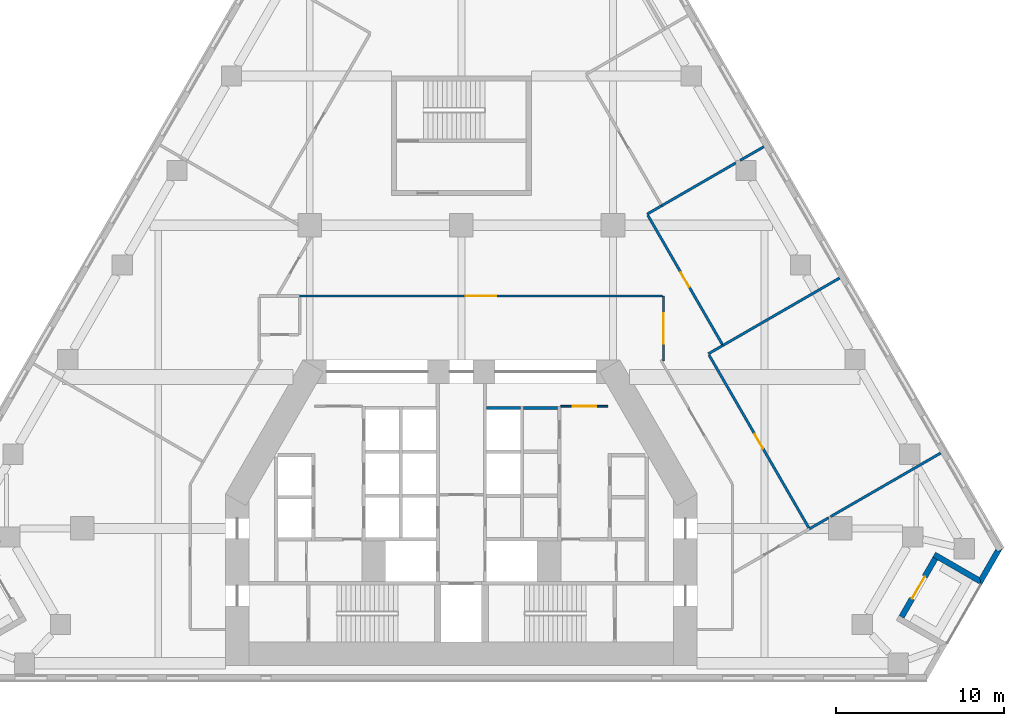
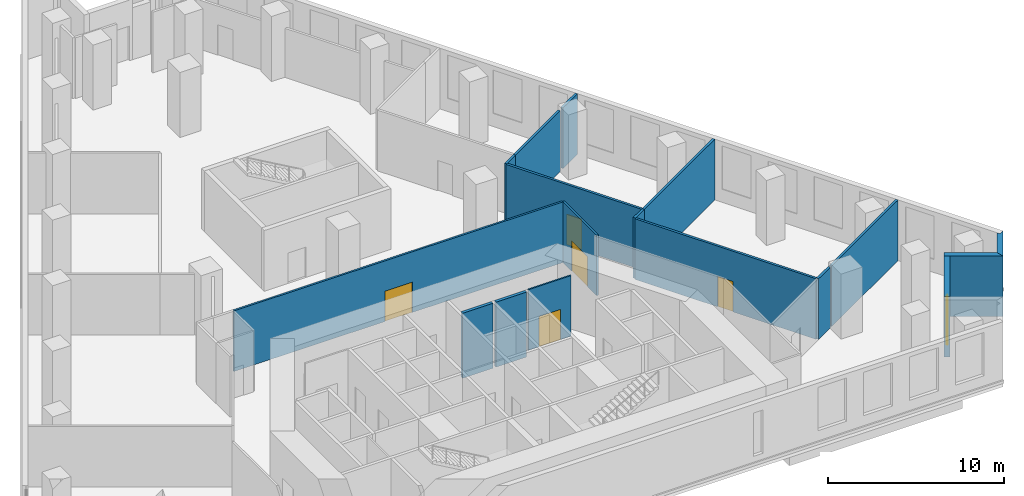
# One storey, part 7 of 10: 17 walls, 6 doors, 6 openings.
"""IFC4 building model written with IfcOpenShell, lengths in metres."""

from ifc_helpers import new_model, si_unit, direction, frame, frame_2d, origin, place, context, subcontext, project, spatial, polyline, rectangle, outline, extrude, material, layer, layer_set, type_object, element, fill, save


model = new_model("IFC4")

# Units and contexts
model_context = context("Model", 3, precision=1e-05, world=origin(), true_north=direction((0.0, 1.0)))
body_context = subcontext(model_context, "Body", "Model", "MODEL_VIEW")
ifc_project = project(units=[si_unit("LENGTHUNIT", "METRE"), si_unit("AREAUNIT", "SQUARE_METRE"), si_unit("VOLUMEUNIT", "CUBIC_METRE"), si_unit("PLANEANGLEUNIT", "RADIAN"), si_unit("MASSUNIT", "GRAM", prefix="KILO")], contexts=[model_context])

# Site, building, storey
site_placement = place(None, origin())
site = spatial("IfcSite", under=ifc_project, at=site_placement, CompositionType="ELEMENT")
building_placement = place(site_placement, origin())
building = spatial("IfcBuilding", under=site, at=building_placement, Name="Fogline Exchange Tower", CompositionType="ELEMENT")
storey_placement = place(building_placement, frame((0.0, 0.0, 43.0)))
storey = spatial("IfcBuildingStorey", under=building, at=storey_placement, Name="L08", CompositionType="ELEMENT", Elevation=43.0)

# Wall, opening, door
ifc_material_1 = material(Name="Blockwork partition", Category="masonry")
ifc_layer_1 = layer(ifc_material_1, 0.10009765625)
ifc_layer_set_1 = layer_set([ifc_layer_1], Name="CW10")
wall_type_1 = type_object("IfcWallType", Name="CW10", PredefinedType="PARTITIONING", material=ifc_layer_set_1)
wall_1_placement = place(storey_placement, frame((5.89990234375, 16.25, 0.0), z_axis=(0.0, 0.0, 1.0), x_axis=(1.0, 0.0, 0.0)))
wall_1 = element("IfcWall", 1, at=wall_1_placement, inside=storey, type_object=wall_type_1, Name="Lift lobby partition", PredefinedType="PARTITIONING", context=body_context, shape_type="SweptSolid", body=[
    extrude(rectangle(XDim=2.800048828125, YDim=0.10009765625, at=frame_2d((1.39990234375, 0.0))), origin(), (0.0, 0.0, 1.0), 4.199951171875),
])
opening_1_placement = place(wall_1_placement, frame((0.699951171875, 0.0, 0.0)))
opening_1 = element("IfcOpeningElement", 2, at=opening_1_placement, cuts=wall_1, Name="Opening T02-C013", PredefinedType="OPENING", context=body_context, shape_type="SweptSolid", body=[
    extrude(rectangle(XDim=1.39990234375, YDim=2.10009765625, at=frame_2d((0.699951171875, 1.050048828125))), frame((0.0, 0.06005859375, 0.0), z_axis=(0.0, -1.0, 0.0), x_axis=(1.0, 0.0, 0.0)), (0.0, 0.0, 1.0), 0.1201171875),
])
ifc_material_2 = material(Name="Steel and timber fire door", Category="steel")
door_type_1 = type_object("IfcDoorType", Name="D-LB1", OperationType="DOUBLE_DOOR_SINGLE_SWING", PredefinedType="DOOR", material=ifc_material_2)
door_1_placement = place(opening_1_placement, origin())
door_1 = element("IfcDoor", 3, at=door_1_placement, inside=storey, type_object=door_type_1, Name="Door to lift lobby", OperationType="DOUBLE_DOOR_SINGLE_SWING", OverallHeight=2.10009765625, OverallWidth=1.39990234375, PredefinedType="DOOR", context=body_context, shape_type="SweptSolid", body=[
    extrude(rectangle(XDim=1.39990234375, YDim=2.10009765625, at=frame_2d((0.699951171875, 1.050048828125))), frame((0.0, 0.02490234375, 0.0), z_axis=(0.0, -1.0, 0.0), x_axis=(1.0, 0.0, 0.0)), (0.0, 0.0, 1.0), 0.050048828125),
])
fill(opening_1, door_1)

# Walls
ifc_material_3 = material(Name="Concrete C40", Category="concrete")
ifc_layer_2 = layer(ifc_material_3, 0.199951171875)
ifc_layer_set_2 = layer_set([ifc_layer_2], Name="CW20S")
wall_type_2 = type_object("IfcWallType", Name="CW20S", PredefinedType="SOLIDWALL", material=ifc_layer_set_2)
for number, where, z_axis, x_axis, name in (
    (4, (3.699951171875, 16.14990234375, -0.300048828125), (0.0, 0.0, 1.0), (1.0, 0.0, 0.0), "Lift shaft wall"),
    (5, (1.5, 16.14990234375, -0.300048828125), (0.0, 0.0, 1.0), (1.0, 0.0, 0.0), "Lift shaft wall"),
):
    element("IfcWall", number, at=place(storey_placement, frame(where, z_axis=z_axis, x_axis=x_axis)), inside=storey, type_object=wall_type_2, Name=name, PredefinedType="SOLIDWALL", context=body_context, shape_type="SweptSolid", body=[
        extrude(rectangle(XDim=2.0, YDim=0.199951171875, at=frame_2d((1.0, 0.0))), origin(), (0.0, 0.0, 1.0), 4.5),
    ])

# Wall, opening, door
ifc_material_4 = material(Name="Brick masonry", Category="masonry")
ifc_layer_3 = layer(ifc_material_4, 0.340087890625)
ifc_layer_set_3 = layer_set([ifc_layer_3], Name="FW1")
wall_type_3 = type_object("IfcWallType", Name="FW1", PredefinedType="SOLIDWALL", material=ifc_layer_set_3)
wall_2_placement = place(storey_placement, frame((26.13232421875, 3.75, 0.0), z_axis=(0.0, 0.0, 1.0), x_axis=(0.49999894854, 0.866026010844, 0.0)))
wall_2 = element("IfcWall", 6, at=wall_2_placement, inside=storey, type_object=wall_type_3, Name="Brick wall L08 SE-bk", PredefinedType="SOLIDWALL", context=body_context, shape_type="SweptSolid", body=[
    extrude(rectangle(XDim=4.0, YDim=0.340087890625, at=frame_2d((2.0, 0.0))), origin(), (0.0, 0.0, 1.0), 4.199951171875),
])
opening_2_placement = place(wall_2_placement, frame((1.25, 0.0, 0.0)))
opening_2 = element("IfcOpeningElement", 7, at=opening_2_placement, cuts=wall_2, Name="Opening T02-E081", PredefinedType="OPENING", context=body_context, shape_type="SweptSolid", body=[
    extrude(rectangle(XDim=1.5, YDim=2.39990234375, at=frame_2d((0.75, 1.199951171875))), frame((0.0, 0.18017578125, 0.0), z_axis=(0.0, -1.0, 0.0), x_axis=(1.0, 0.0, 0.0)), (0.0, 0.0, 1.0), 0.360107421875),
])
ifc_material_5 = material(Name="Aluminium and glass", Category="aluminium")
door_type_2 = type_object("IfcDoorType", Name="ED4", OperationType="SINGLE_SWING_LEFT", PredefinedType="DOOR", material=ifc_material_5)
door_2_placement = place(opening_2_placement, frame((1.5, 0.0, 0.0), z_axis=(0.0, 0.0, 1.0), x_axis=(-1.0, 0.0, 0.0)))
door_2 = element("IfcDoor", 8, at=door_2_placement, inside=storey, type_object=door_type_2, Name="Balcony door L08 SE", OperationType="DOUBLE_DOOR_SINGLE_SWING", OverallHeight=2.39990234375, OverallWidth=1.5, PredefinedType="DOOR", context=body_context, shape_type="SweptSolid", body=[
    extrude(rectangle(XDim=1.5, YDim=2.39990234375, at=frame_2d((0.75, 1.199951171875))), frame((0.0, 0.02490234375, 0.0), z_axis=(0.0, -1.0, 0.0), x_axis=(1.0, 0.0, 0.0)), (0.0, 0.0, 1.0), 0.050048828125),
])
fill(opening_2, door_2)

# Walls
wall_3_placement = place(storey_placement, origin())
element("IfcWall", 9, at=wall_3_placement, inside=storey, type_object=wall_type_3, Name="Brick wall L08 SE-s2", PredefinedType="SOLIDWALL", context=body_context, shape_type="SweptSolid", body=[
    extrude(outline(polyline([(30.878173828125, 5.628173828125), (28.279296875, 7.128662109375), (27.984375, 7.298828125), (28.15478515625, 7.594482421875), (30.753662109375, 6.093994140625), (30.87841796875, 5.62841796875), (30.878173828125, 5.628173828125)])), origin(), (0.0, 0.0, 1.0), 4.199951171875),
])
wall_4_placement = place(storey_placement, origin())
element("IfcWall", 10, at=wall_4_placement, inside=storey, type_object=wall_type_3, Name="Brick wall L08 SE-c2", PredefinedType="SOLIDWALL", context=body_context, shape_type="SweptSolid", body=[
    extrude(outline(polyline([(31.735107421875, 7.79541015625), (31.83349609375, 7.625), (32.128173828125, 7.79541015625), (32.128662109375, 7.794921875), (30.877685546875, 5.6279296875), (30.877197265625, 5.6279296875), (30.75244140625, 6.09375), (31.735107421875, 7.79541015625)])), origin(), (0.0, 0.0, 1.0), 4.199951171875),
])

# Wall, opening, door
ifc_material_6 = material(Name="Plasterboard corridor partition with mineral wool, 2 layers each side")
ifc_layer_4 = layer(ifc_material_6, 0.125)
ifc_layer_set_4 = layer_set([ifc_layer_4], Name="PW2")
wall_type_4 = type_object("IfcWallType", Name="PW2", PredefinedType="PARTITIONING", material=ifc_layer_set_4)
wall_5_placement = place(storey_placement, frame((-9.60009765625, 22.800048828125, 0.0), z_axis=(0.0, 0.0, 1.0), x_axis=(1.0, 0.0, 0.0)))
wall_5 = element("IfcWall", 11, at=wall_5_placement, inside=storey, type_object=wall_type_4, Name="wall-L08-W005", PredefinedType="PARTITIONING", context=body_context, shape_type="SweptSolid", body=[
    extrude(rectangle(XDim=21.53759765625, YDim=0.125, at=frame_2d((10.768798828125, 0.0))), origin(), (0.0, 0.0, 1.0), 4.199951171875),
])
opening_3_placement = place(wall_5_placement, frame((9.868896484375, 0.0, 0.0)))
opening_3 = element("IfcOpeningElement", 12, at=opening_3_placement, cuts=wall_5, Name="Opening T02-D003", PredefinedType="OPENING", context=body_context, shape_type="SweptSolid", body=[
    extrude(rectangle(XDim=1.800048828125, YDim=2.10009765625, at=frame_2d((0.89990234375, 1.050048828125))), frame((0.0, 0.072509765625, 0.0), z_axis=(0.0, -1.0, 0.0), x_axis=(1.0, 0.0, 0.0)), (0.0, 0.0, 1.0), 0.14501953125),
])
ifc_material_7 = material(Name="Fire-rated timber door leaves with steel frame", Category="steel")
door_type_3 = type_object("IfcDoorType", Name="D4", OperationType="DOUBLE_DOOR_SINGLE_SWING", PredefinedType="DOOR", material=ifc_material_7)
door_3_placement = place(opening_3_placement, frame((1.800048828125, 0.0, 0.0), z_axis=(0.0, 0.0, 1.0), x_axis=(-1.0, 0.0, 0.0)))
door_3 = element("IfcDoor", 13, at=door_3_placement, inside=storey, type_object=door_type_3, Name="door-L08-D003", OperationType="DOUBLE_DOOR_SINGLE_SWING", OverallHeight=2.10009765625, OverallWidth=1.800048828125, PredefinedType="DOOR", context=body_context, shape_type="SweptSolid", body=[
    extrude(rectangle(XDim=1.800048828125, YDim=2.10009765625, at=frame_2d((0.89990234375, 1.050048828125))), frame((0.0, 0.02490234375, 0.0), z_axis=(0.0, -1.0, 0.0), x_axis=(1.0, 0.0, 0.0)), (0.0, 0.0, 1.0), 0.050048828125),
])
fill(opening_3, door_3)

wall_6_placement = place(storey_placement, frame((12.0, 22.800048828125, 0.0), z_axis=(0.0, 0.0, 1.0), x_axis=(0.0, -1.0, 0.0)))
wall_6 = element("IfcWall", 14, at=wall_6_placement, inside=storey, type_object=wall_type_4, Name="wall-L08-W006", PredefinedType="PARTITIONING", context=body_context, shape_type="SweptSolid", body=[
    extrude(rectangle(XDim=3.850830078125, YDim=0.125, at=frame_2d((1.92529296875, 0.0))), origin(), (0.0, 0.0, 1.0), 4.199951171875),
])
opening_4_placement = place(wall_6_placement, frame((1.025390625, 0.0, 0.0)))
opening_4 = element("IfcOpeningElement", 15, at=opening_4_placement, cuts=wall_6, Name="Opening T02-D002", PredefinedType="OPENING", context=body_context, shape_type="SweptSolid", body=[
    extrude(rectangle(XDim=1.800048828125, YDim=2.10009765625, at=frame_2d((0.89990234375, 1.050048828125))), frame((0.0, 0.072509765625, 0.0), z_axis=(0.0, -1.0, 0.0), x_axis=(1.0, 0.0, 0.0)), (0.0, 0.0, 1.0), 0.14501953125),
])
door_4_placement = place(opening_4_placement, frame((1.800048828125, 0.0, 0.0), z_axis=(0.0, 0.0, 1.0), x_axis=(-1.0, 0.0, 0.0)))
door_4 = element("IfcDoor", 16, at=door_4_placement, inside=storey, type_object=door_type_3, Name="door-L08-D002", OperationType="DOUBLE_DOOR_SINGLE_SWING", OverallHeight=2.10009765625, OverallWidth=1.800048828125, PredefinedType="DOOR", context=body_context, shape_type="SweptSolid", body=[
    extrude(rectangle(XDim=1.800048828125, YDim=2.10009765625, at=frame_2d((0.89990234375, 1.050048828125))), frame((0.0, 0.02490234375, 0.0), z_axis=(0.0, -1.0, 0.0), x_axis=(1.0, 0.0, 0.0)), (0.0, 0.0, 1.0), 0.050048828125),
])
fill(opening_4, door_4)

# Walls
ifc_material_8 = material(Name="Plasterboard demising partition with mineral wool and acoustic board")
ifc_layer_5 = layer(ifc_material_8, 0.14990234375)
ifc_layer_set_5 = layer_set([ifc_layer_5], Name="PW3")
wall_type_5 = type_object("IfcWallType", Name="PW3", PredefinedType="PARTITIONING", material=ifc_layer_set_5)
wall_7_placement = place(storey_placement, frame((11.892822265625, 28.161865234375, 0.0), z_axis=(0.0, 0.0, 1.0), x_axis=(0.866023813814, 0.5000027539, 0.0)))
element("IfcWall", 17, at=wall_7_placement, inside=storey, type_object=wall_type_5, Name="wall-L08-W014", PredefinedType="PARTITIONING", context=body_context, shape_type="SweptSolid", body=[
    extrude(rectangle(XDim=5.07666015625, YDim=0.14990234375, at=frame_2d((2.538330078125, 0.0))), origin(), (0.0, 0.0, 1.0), 4.199951171875),
])
wall_8_placement = place(storey_placement, frame((16.5537109375, 30.852783203125, 0.0), z_axis=(0.0, 0.0, 1.0), x_axis=(0.866024786089, 0.500001069878, 0.0)))
element("IfcWall", 18, at=wall_8_placement, inside=storey, type_object=wall_type_5, Name="wall-L08-W015", PredefinedType="PARTITIONING", context=body_context, shape_type="SweptSolid", body=[
    extrude(rectangle(XDim=1.6181640625, YDim=0.14990234375, at=frame_2d((0.80908203125, 0.0))), origin(), (0.0, 0.0, 1.0), 4.199951171875),
])

# Wall, opening, door
wall_9_placement = place(storey_placement, frame((15.4892578125, 19.9326171875, 0.0), z_axis=(0.0, 0.0, 1.0), x_axis=(-0.500005027614, 0.86602250107, 0.0)))
wall_9 = element("IfcWall", 19, at=wall_9_placement, inside=storey, type_object=wall_type_5, Name="wall-L08-W016", PredefinedType="PARTITIONING", context=body_context, shape_type="SweptSolid", body=[
    extrude(rectangle(XDim=8.85009765625, YDim=0.14990234375, at=frame_2d((4.425048828125, 0.0))), origin(), (0.0, 0.0, 1.0), 4.199951171875),
])
opening_5_placement = place(wall_9_placement, frame((3.925048828125, 0.0, 0.0)))
opening_5 = element("IfcOpeningElement", 20, at=opening_5_placement, cuts=wall_9, Name="Opening T02-D006", PredefinedType="OPENING", context=body_context, shape_type="SweptSolid", body=[
    extrude(rectangle(XDim=1.0, YDim=2.10009765625, at=frame_2d((0.5, 1.050048828125))), frame((0.0, 0.0849609375, 0.0), z_axis=(0.0, -1.0, 0.0), x_axis=(1.0, 0.0, 0.0)), (0.0, 0.0, 1.0), 0.169921875),
])
ifc_material_9 = material(Name="Fire-rated timber door leaf with steel frame", Category="steel")
door_type_4 = type_object("IfcDoorType", Name="D3", OperationType="SINGLE_SWING_LEFT", PredefinedType="DOOR", material=ifc_material_9)
door_5_placement = place(opening_5_placement, frame((1.0, 0.0, 0.0), z_axis=(0.0, 0.0, 1.0), x_axis=(-1.0, 0.0, 0.0)))
door_5 = element("IfcDoor", 21, at=door_5_placement, inside=storey, type_object=door_type_4, Name="door-L08-D006", OperationType="SINGLE_SWING_LEFT", OverallHeight=2.10009765625, OverallWidth=1.0, PredefinedType="DOOR", context=body_context, shape_type="SweptSolid", body=[
    extrude(rectangle(XDim=1.0, YDim=2.10009765625, at=frame_2d((0.5, 1.050048828125))), frame((0.0, 0.02490234375, 0.0), z_axis=(0.0, -1.0, 0.0), x_axis=(1.0, 0.0, 0.0)), (0.0, 0.0, 1.0), 0.050048828125),
])
fill(opening_5, door_5)

# Walls
wall_10_placement = place(storey_placement, frame((11.02685546875, 27.661865234375, 0.0), z_axis=(0.0, 0.0, 1.0), x_axis=(0.866010750942, 0.50002537861, 0.0)))
element("IfcWall", 22, at=wall_10_placement, inside=storey, type_object=wall_type_5, Name="wall-L08-W017", PredefinedType="PARTITIONING", context=body_context, shape_type="SweptSolid", body=[
    extrude(rectangle(XDim=1.0, YDim=0.14990234375, at=frame_2d((0.5, 0.0))), origin(), (0.0, 0.0, 1.0), 4.199951171875),
])
wall_11_placement = place(storey_placement, frame((22.455078125, 23.86767578125, 0.0), z_axis=(0.0, 0.0, 1.0), x_axis=(-0.866026010844, -0.49999894854, 0.0)))
element("IfcWall", 23, at=wall_11_placement, inside=storey, type_object=wall_type_5, Name="wall-L08-W018", PredefinedType="PARTITIONING", context=body_context, shape_type="SweptSolid", body=[
    extrude(rectangle(XDim=8.0, YDim=0.14990234375, at=frame_2d((4.0, 0.0))), origin(), (0.0, 0.0, 1.0), 4.199951171875),
])
wall_12_placement = place(storey_placement, frame((15.52685546875, 19.86767578125, 0.0), z_axis=(0.0, 0.0, 1.0), x_axis=(-0.866010750942, -0.50002537861, 0.0)))
element("IfcWall", 24, at=wall_12_placement, inside=storey, type_object=wall_type_5, Name="wall-L08-W037", PredefinedType="PARTITIONING", context=body_context, shape_type="SweptSolid", body=[
    extrude(rectangle(XDim=1.0, YDim=0.14990234375, at=frame_2d((0.5, 0.0))), origin(), (0.0, 0.0, 1.0), 4.199951171875),
])

# Wall, opening, door
wall_13_placement = place(storey_placement, frame((14.6982421875, 19.302734375, 0.0), z_axis=(0.0, 0.0, 1.0), x_axis=(0.500001258315, -0.866024677295, 0.0)))
wall_13 = element("IfcWall", 25, at=wall_13_placement, inside=storey, type_object=wall_type_5, Name="wall-L08-W038", PredefinedType="PARTITIONING", context=body_context, shape_type="SweptSolid", body=[
    extrude(rectangle(XDim=11.85009765625, YDim=0.14990234375, at=frame_2d((5.925048828125, 0.0))), origin(), (0.0, 0.0, 1.0), 4.199951171875),
])
opening_6_placement = place(wall_13_placement, frame((5.425048828125, 0.0, 0.0)))
opening_6 = element("IfcOpeningElement", 26, at=opening_6_placement, cuts=wall_13, Name="Opening T02-D012", PredefinedType="OPENING", context=body_context, shape_type="SweptSolid", body=[
    extrude(rectangle(XDim=1.0, YDim=2.10009765625, at=frame_2d((0.5, 1.050048828125))), frame((0.0, 0.0849609375, 0.0), z_axis=(0.0, -1.0, 0.0), x_axis=(1.0, 0.0, 0.0)), (0.0, 0.0, 1.0), 0.169921875),
])
door_6_placement = place(opening_6_placement, origin())
door_6 = element("IfcDoor", 27, at=door_6_placement, inside=storey, type_object=door_type_4, Name="door-L08-D012", OperationType="SINGLE_SWING_RIGHT", OverallHeight=2.10009765625, OverallWidth=1.0, PredefinedType="DOOR", context=body_context, shape_type="SweptSolid", body=[
    extrude(rectangle(XDim=1.0, YDim=2.10009765625, at=frame_2d((0.5, 1.050048828125))), frame((0.0, 0.02490234375, 0.0), z_axis=(0.0, -1.0, 0.0), x_axis=(1.0, 0.0, 0.0)), (0.0, 0.0, 1.0), 0.050048828125),
])
fill(opening_6, door_6)

# Walls
wall_14_placement = place(storey_placement, frame((20.660888671875, 8.975341796875, 0.0), z_axis=(0.0, 0.0, 1.0), x_axis=(0.866018681408, 0.500011643316, 0.0)))
element("IfcWall", 28, at=wall_14_placement, inside=storey, type_object=wall_type_5, Name="wall-L08-W045", PredefinedType="PARTITIONING", context=body_context, shape_type="SweptSolid", body=[
    extrude(rectangle(XDim=1.3154296875, YDim=0.14990234375, at=frame_2d((0.65771484375, 0.0))), origin(), (0.0, 0.0, 1.0), 4.199951171875),
])
wall_15_placement = place(storey_placement, frame((21.915771484375, 9.699951171875, 0.0), z_axis=(0.0, 0.0, 1.0), x_axis=(0.866029981338, 0.499992071361, 0.0)))
element("IfcWall", 29, at=wall_15_placement, inside=storey, type_object=wall_type_5, Name="wall-L08-W046", PredefinedType="PARTITIONING", context=body_context, shape_type="SweptSolid", body=[
    extrude(rectangle(XDim=7.55078125, YDim=0.14990234375, at=frame_2d((3.775390625, 0.0))), origin(), (0.0, 0.0, 1.0), 4.199951171875),
])

save(model, "model.ifc")
